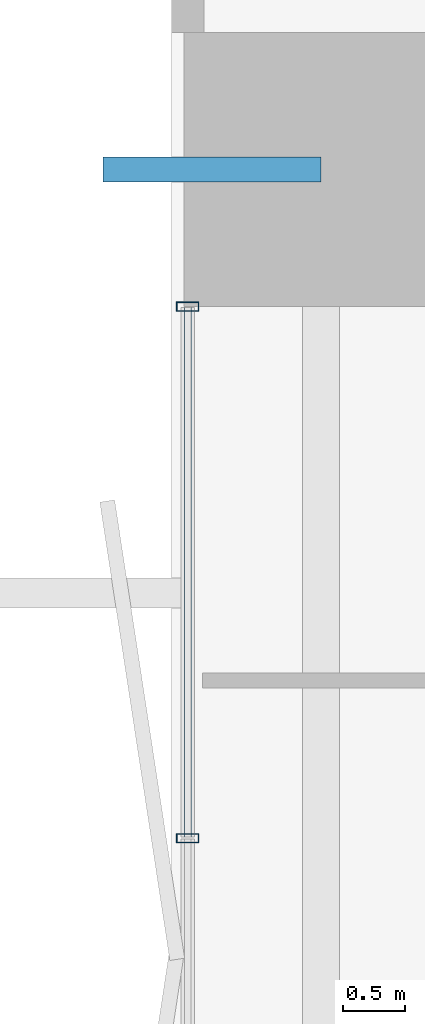
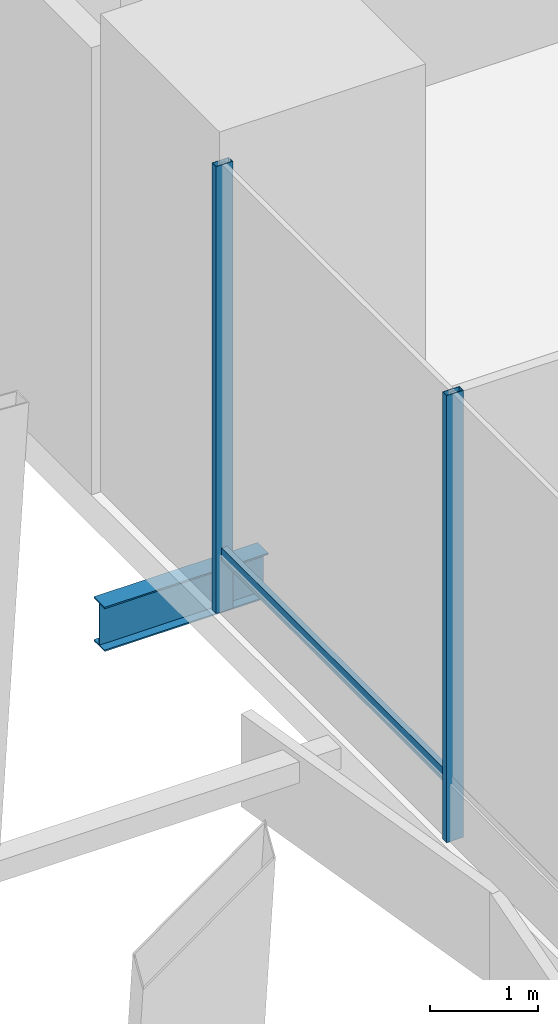
# One storey, part 11 of 24: 3 members, 1 beam, 1 element without a shape of its own.
"""IFC4 building model written with IfcOpenShell, lengths in metres."""

import ifcopenshell
import ifcopenshell.guid

model = None  # the IFC model being written
_history = None  # IfcOwnerHistory: only IFC2X3 demands one
_inside = {}  # id of a spatial element -> (the spatial element, [elements in it])
_under = {}  # id of a project, library or spatial element -> (it, [spatial elements below it])
_declared = {}  # id of a project -> (the project, [libraries it declares])
_typed = {}  # id of a type object -> (the type object, [elements of that type])
_made_of = {}  # id of a material, layer set ... -> (it, [elements and type objects made of it])


def new_model(schema):
    """Start an empty IFC model of exactly this schema.

    Asked for "IFC4X3", IfcOpenShell would pick the latest addendum, in which some entities
    have other attributes; the version numbers below select the first issue.
    IFC2X3 requires an IfcOwnerHistory on every rooted entity: one is made here for all.
    """
    global model, _history
    if schema == "IFC4X3":
        model = ifcopenshell.file(schema_version=(4, 3, 0, 0))
    else:
        model = ifcopenshell.file(schema=schema)
    _inside.clear()
    _under.clear()
    _declared.clear()
    _typed.clear()
    _made_of.clear()
    _history = None
    if model.schema == "IFC2X3":
        org = make("IfcOrganization", Name="unknown")
        user = make(
            "IfcPersonAndOrganization",
            ThePerson=make("IfcPerson", FamilyName="unknown"),
            TheOrganization=org,
        )
        app = make(
            "IfcApplication",
            ApplicationDeveloper=org,
            Version="unknown",
            ApplicationFullName="unknown",
            ApplicationIdentifier="unknown",
        )
        _history = make(
            "IfcOwnerHistory",
            OwningUser=user,
            OwningApplication=app,
            ChangeAction="ADDED",
            CreationDate=0,
        )
    return model


def make(cls, **values):
    """One entity of the class cls with the attributes given. An attribute that is None is left unset."""
    return model.create_entity(
        cls, **{name: value for name, value in values.items() if value is not None}
    )


def rooted(cls, **values):
    """An entity with a GlobalId (a new one), such as an element, a storey or a relation."""
    return make(cls, GlobalId=ifcopenshell.guid.new(), OwnerHistory=_history, **values)


def si_unit(unit_type, name, prefix=None):
    """IfcSIUnit, for example si_unit("LENGTHUNIT", "METRE", prefix="MILLI")."""
    return make("IfcSIUnit", UnitType=unit_type, Prefix=prefix, Name=name)


def assignment(units):
    """IfcUnitAssignment: the units of a project."""
    return None if units is None else make("IfcUnitAssignment", Units=units)


def point(xyz):
    """IfcCartesianPoint."""
    return None if xyz is None else make("IfcCartesianPoint", Coordinates=xyz)


def direction(xyz):
    """IfcDirection."""
    return None if xyz is None else make("IfcDirection", DirectionRatios=xyz)


def frame(location, z_axis=None, x_axis=None):
    """IfcAxis2Placement3D, a coordinate frame: its origin and axes. An axis left out is left unset."""
    return make(
        "IfcAxis2Placement3D",
        Location=point(location),
        Axis=direction(z_axis),
        RefDirection=direction(x_axis),
    )


def frame_2d(location, x_axis=None):
    """IfcAxis2Placement2D, a coordinate frame in the plane: its origin and x axis."""
    return make(
        "IfcAxis2Placement2D", Location=point(location), RefDirection=direction(x_axis)
    )


def origin():
    """The frame at (0, 0, 0) with its axes left unset."""
    return frame((0.0, 0.0, 0.0))


def origin_2d():
    """The frame at (0, 0) in the plane with its x axis left unset."""
    return frame_2d((0.0, 0.0))


def place(relative_to, where):
    """IfcLocalPlacement: puts the frame where relative to a parent placement (None: the world)."""
    return make(
        "IfcLocalPlacement", PlacementRelTo=relative_to, RelativePlacement=where
    )


def context(
    kind, dimensions, precision=None, world=None, true_north=None, identifier=None
):
    """IfcGeometricRepresentationContext, for example the 3D "Model" context."""
    return make(
        "IfcGeometricRepresentationContext",
        ContextIdentifier=identifier,
        ContextType=kind,
        CoordinateSpaceDimension=dimensions,
        Precision=precision,
        WorldCoordinateSystem=world,
        TrueNorth=true_north,
    )


def subcontext(parent, identifier, kind, view, scale=None):
    """IfcGeometricRepresentationSubContext, for example "Body" below "Model"."""
    return make(
        "IfcGeometricRepresentationSubContext",
        ContextIdentifier=identifier,
        ContextType=kind,
        ParentContext=parent,
        TargetScale=scale,
        TargetView=view,
    )


def project(units=None, contexts=None):
    """IfcProject with its units and contexts."""
    return rooted(
        "IfcProject",
        Name="project",
        RepresentationContexts=contexts,
        UnitsInContext=assignment(units),
    )


def spatial(cls, under=None, at=None, **own):
    """A site, building, storey or space (cls), placed at a placement, below another one or the project."""
    s = rooted(cls, ObjectPlacement=at, **own)
    if under is not None:
        _under.setdefault(under.id(), (under, []))[1].append(s)
    return s


def profile(cls, at=None, kind="AREA", **sizes):
    """A parametric profile (cls). Its sizes go by their IFC names, for example OverallWidth=200.0."""
    return make(cls, ProfileType=kind, Position=at, **sizes)


def hollow_rectangle(**sizes):
    """IfcRectangleHollowProfileDef."""
    return profile("IfcRectangleHollowProfileDef", **sizes)


def i_section(**sizes):
    """IfcIShapeProfileDef."""
    return profile("IfcIShapeProfileDef", **sizes)


def extrude(swept, where, along, depth):
    """IfcExtrudedAreaSolid: the profile swept, set in the frame where, extruded along a direction by depth."""
    return make(
        "IfcExtrudedAreaSolid",
        SweptArea=swept,
        Position=where,
        ExtrudedDirection=direction(along),
        Depth=depth,
    )


def shape(context_of_items, identifier, shape_type, items):
    """IfcShapeRepresentation: the items that make up one representation, for example the "Body"."""
    return make(
        "IfcShapeRepresentation",
        ContextOfItems=context_of_items,
        RepresentationIdentifier=identifier,
        RepresentationType=shape_type,
        Items=items,
    )


def material(Name=None, Category=None):
    """IfcMaterial."""
    return make("IfcMaterial", Name=Name, Category=Category)


def layer(
    of_material, thickness, ventilated=None, Name=None, Category=None, Priority=None
):
    """IfcMaterialLayer: one layer of a wall or slab, of a material (None: an air gap)."""
    return make(
        "IfcMaterialLayer",
        Material=of_material,
        LayerThickness=thickness,
        IsVentilated=ventilated,
        Name=Name,
        Category=Category,
        Priority=Priority,
    )


def layer_set(layers, Name=None):
    """IfcMaterialLayerSet."""
    return make("IfcMaterialLayerSet", MaterialLayers=layers, LayerSetName=Name)


def material_profile(
    of_material, cross_section, Name=None, Category=None, Priority=None
):
    """IfcMaterialProfile: a cross section and its material."""
    return make(
        "IfcMaterialProfile",
        Name=Name,
        Material=of_material,
        Profile=cross_section,
        Priority=Priority,
        Category=Category,
    )


def profile_set(profiles, Name=None, composite=None):
    """IfcMaterialProfileSet."""
    return make(
        "IfcMaterialProfileSet",
        Name=Name,
        MaterialProfiles=profiles,
        CompositeProfile=composite,
    )


def made_of(thing, what):
    """Note that an element or type object is made of a material, layer set ...; save() writes the relation."""
    if what is not None:
        _made_of.setdefault(what.id(), (what, []))[1].append(thing)
    return thing


def type_object(cls, material=None, **own):
    """A type object (cls), such as IfcWallType, which elements share."""
    return made_of(rooted(cls, **own), material)


def element(
    cls,
    number,
    at=None,
    inside=None,
    cuts=None,
    type_object=None,
    material=None,
    context=None,
    identifier="Body",
    shape_type=None,
    held_by="IfcProductDefinitionShape",
    body=None,
    shapes=None,
    **own,
):
    """One element of the class cls, such as IfcWall. Its Tag is "e" and its number.

    at: its placement. inside: the storey or other place that contains it. cuts: it is an
    opening in that element (IfcRelVoidsElement). A single representation is given by context,
    identifier, shape_type and body (its items); several are given by shapes. held_by: the class
    of the entity that holds the representations. save() writes the other relations.
    """
    e = rooted(cls, Tag="e%d" % number, ObjectPlacement=at, **own)
    if body is not None:
        shapes = [shape(context, identifier, shape_type, body)]
    if shapes is not None:
        e.Representation = make(held_by, Representations=shapes)
    if inside is not None:
        _inside.setdefault(inside.id(), (inside, []))[1].append(e)
    if cuts is not None:
        rooted(
            "IfcRelVoidsElement", RelatingBuildingElement=cuts, RelatedOpeningElement=e
        )
    if type_object is not None:
        _typed.setdefault(type_object.id(), (type_object, []))[1].append(e)
    return made_of(e, material)


def aggregate(whole, parts):
    """IfcRelAggregates: a whole, such as a stair, and the parts it consists of."""
    return rooted("IfcRelAggregates", RelatingObject=whole, RelatedObjects=parts)


def save(model, path):
    """Write the relations noted so far, then the file.

    IfcRelAggregates (storeys below a building ...), IfcRelContainedInSpatialStructure (elements
    in a storey), IfcRelDefinesByType, IfcRelAssociatesMaterial and IfcRelDeclares: one each for
    every whole, place, type object, material and project.
    """
    for whole, parts in _under.values():
        aggregate(whole, parts)
    for where, things in _inside.values():
        rooted(
            "IfcRelContainedInSpatialStructure",
            RelatedElements=things,
            RelatingStructure=where,
        )
    for kind, things in _typed.values():
        rooted("IfcRelDefinesByType", RelatedObjects=things, RelatingType=kind)
    for what, things in _made_of.values():
        rooted("IfcRelAssociatesMaterial", RelatedObjects=things, RelatingMaterial=what)
    for by, libraries in _declared.values():
        rooted("IfcRelDeclares", RelatingContext=by, RelatedDefinitions=libraries)
    model.write(path)


model = new_model("IFC4")

# Units and contexts
model_context = context("Model", 3, precision=1e-05, world=origin(), true_north=direction((0.0, 1.0)))
body_context = subcontext(model_context, "Body", "Model", "MODEL_VIEW")
ifc_project = project(units=[si_unit("LENGTHUNIT", "METRE"), si_unit("AREAUNIT", "SQUARE_METRE"), si_unit("VOLUMEUNIT", "CUBIC_METRE"), si_unit("PLANEANGLEUNIT", "RADIAN"), si_unit("MASSUNIT", "GRAM", prefix="KILO")], contexts=[model_context])

# Site, building, storey
site_placement = place(None, origin())
site = spatial("IfcSite", under=ifc_project, at=site_placement, CompositionType="ELEMENT")
building_placement = place(site_placement, origin())
building = spatial("IfcBuilding", under=site, at=building_placement, Name="Belovzor Exchange Tower", CompositionType="ELEMENT")
storey_placement = place(building_placement, frame((0.0, 0.0, 13.800048828125)))
storey = spatial("IfcBuildingStorey", under=building, at=storey_placement, Name="L03", CompositionType="ELEMENT", Elevation=13.800048828125)

# Beam
ifc_material_1 = material(Name="Steel S355", Category="steel")
ifc_material_profile_1 = material_profile(ifc_material_1, i_section(OverallWidth=0.199951171875, OverallDepth=0.5, WebThickness=0.01025390625, FlangeThickness=0.01611328125, at=origin_2d()))
ifc_profile_set_1 = profile_set([ifc_material_profile_1], Name="Steel S355")
beam_type = type_object("IfcBeamType", Name="Planted Balcony Cantilever Beam IPE 500", PredefinedType="BEAM", material=ifc_profile_set_1)
beam_placement = place(storey_placement, frame((1.800048828125, 43.800048828125, -0.60009765625), z_axis=(-1.0, 0.0, 0.0), x_axis=(0.0, -1.0, 0.0)))
element("IfcBeam", 1, at=beam_placement, inside=storey, type_object=beam_type, Name="BC-500 Planted Balcony Cantilever Beam IPE 500", PredefinedType="BEAM", context=body_context, shape_type="SweptSolid", body=[
    extrude(i_section(OverallWidth=0.199951171875, OverallDepth=0.5, WebThickness=0.01025390625, FlangeThickness=0.01611328125, at=origin_2d()), origin(), (0.0, 0.0, 1.0), 1.75),
])

# Curtain wall, members
ifc_material_2 = material(Name="Anodised Aluminium Framing", Category="aluminium")
ifc_layer = layer(ifc_material_2, 0.219970703125)
ifc_layer_set = layer_set([ifc_layer], Name="Anodised Aluminium Framing")
curtain_wall_type = type_object("IfcCurtainWallType", Name="Podium Clear-Span Exchange Hall Unitised Curtain Wall", PredefinedType="NOTDEFINED", material=ifc_layer_set)
curtain_wall_placement = place(storey_placement, origin())
curtain_wall = element("IfcCurtainWall", 2, at=curtain_wall_placement, inside=storey, type_object=curtain_wall_type, Name="CW1 Podium Clear-Span Exchange Hall Unitised Curtain Wall L03", PredefinedType="NOTDEFINED")
ifc_material_3 = material(Name="Steel S355", Category="steel")
ifc_material_profile_2 = material_profile(ifc_material_3, hollow_rectangle(XDim=0.074951171875, YDim=0.179931640625, WallThickness=0.0048828125, at=origin_2d()))
ifc_profile_set_2 = profile_set([ifc_material_profile_2], Name="Steel S355")
member_type_1 = type_object("IfcMemberType", Name="Thermally Broken Curtain Wall Mullion 180x75", PredefinedType="MULLION", material=ifc_profile_set_2)
member_1_placement = place(storey_placement, frame((0.72998046875, 38.43310546875, 0.0), z_axis=(0.0, 0.0, 1.0), x_axis=(0.0, 1.0, 0.0)))
member_1 = element("IfcMember", 3, at=member_1_placement, type_object=member_type_1, Name="CW-M180 Curtain Wall Mullion 3", PredefinedType="MULLION", context=body_context, shape_type="SweptSolid", body=[
    extrude(hollow_rectangle(XDim=0.074951171875, YDim=0.179931640625, WallThickness=0.0048828125, at=origin_2d()), origin(), (0.0, 0.0, 1.0), 5.050048828125),
])
member_2_placement = place(storey_placement, frame((0.72998046875, 42.699951171875, 0.0), z_axis=(0.0, 0.0, 1.0), x_axis=(0.0, 1.0, 0.0)))
member_2 = element("IfcMember", 4, at=member_2_placement, type_object=member_type_1, Name="CW-M180 Curtain Wall Mullion 4", PredefinedType="MULLION", context=body_context, shape_type="SweptSolid", body=[
    extrude(hollow_rectangle(XDim=0.074951171875, YDim=0.179931640625, WallThickness=0.0048828125, at=origin_2d()), origin(), (0.0, 0.0, 1.0), 5.050048828125),
])
ifc_material_4 = material(Name="Steel S355", Category="steel")
ifc_material_profile_3 = material_profile(ifc_material_4, hollow_rectangle(XDim=0.06005859375, YDim=0.14990234375, WallThickness=0.00390625, at=origin_2d()))
ifc_profile_set_3 = profile_set([ifc_material_profile_3], Name="Steel S355")
member_type_2 = type_object("IfcMemberType", Name="Thermally Broken Curtain Wall Transom 150x60", PredefinedType="USERDEFINED", material=ifc_profile_set_3)
member_3_placement = place(storey_placement, frame((0.72998046875, 38.44091796875, 0.64990234375), z_axis=(0.0, 1.0, 0.0), x_axis=(-1.0, 0.0, 0.0)))
member_3 = element("IfcMember", 5, at=member_3_placement, type_object=member_type_2, Name="CW-T150 Curtain Wall Transom 3", ObjectType="TRANSOM", PredefinedType="USERDEFINED", context=body_context, shape_type="SweptSolid", body=[
    extrude(hollow_rectangle(XDim=0.06005859375, YDim=0.14990234375, WallThickness=0.00390625, at=origin_2d()), origin(), (0.0, 0.0, 1.0), 4.2509765625),
])
aggregate(curtain_wall, [member_1, member_2, member_3])

save(model, "model.ifc")
